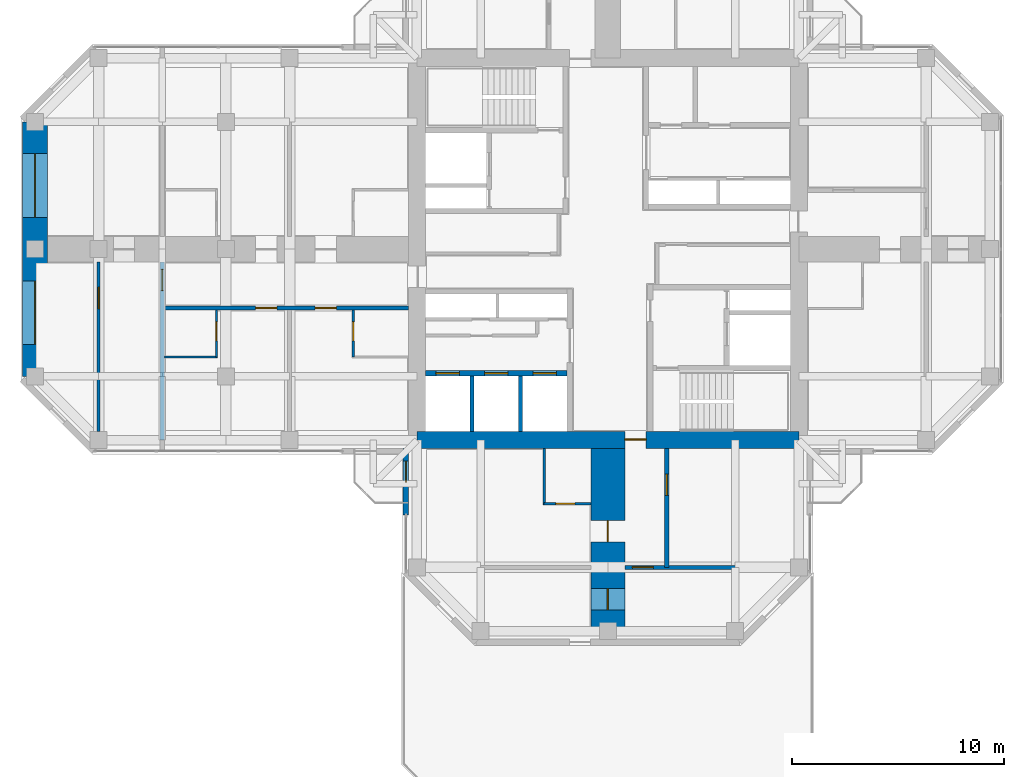
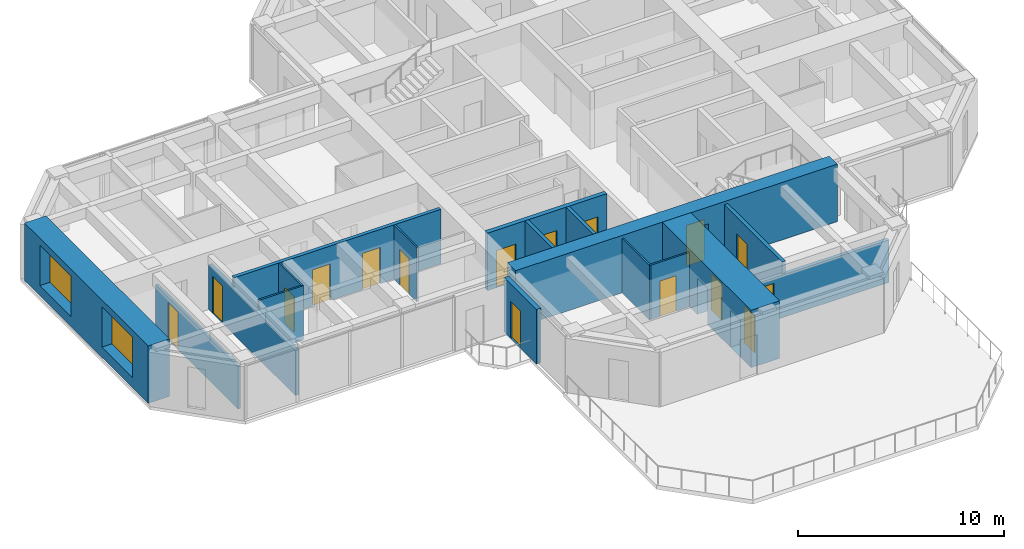
# One storey, part 8 of 14: 17 walls, 16 doors, 2 windows, 18 openings.
"""IFC4 building model written with IfcOpenShell, lengths in metres."""

from ifc_helpers import new_model, si_unit, direction, frame, frame_2d, origin, place, context, subcontext, project, spatial, rectangle, hollow_rectangle, extrude, material, layer, layer_set, constituent, constituent_set, type_object, element, fill, save


model = new_model("IFC4")

# Units and contexts
model_context = context("Model", 3, precision=1e-05, world=origin(), true_north=direction((0.0, 1.0)))
body_context = subcontext(model_context, "Body", "Model", "MODEL_VIEW")
ifc_project = project(units=[si_unit("LENGTHUNIT", "METRE"), si_unit("AREAUNIT", "SQUARE_METRE"), si_unit("VOLUMEUNIT", "CUBIC_METRE"), si_unit("PLANEANGLEUNIT", "RADIAN"), si_unit("MASSUNIT", "GRAM", prefix="KILO")], contexts=[model_context])

# Site, building, storey
site_placement = place(None, origin())
site = spatial("IfcSite", under=ifc_project, at=site_placement, CompositionType="ELEMENT")
building_placement = place(site_placement, origin())
building = spatial("IfcBuilding", under=site, at=building_placement, Name="Torre Cruceta", CompositionType="ELEMENT")
storey_placement = place(building_placement, frame((0.0, 0.0, 222.10009765625)))
storey = spatial("IfcBuildingStorey", under=building, at=storey_placement, Name="L56", CompositionType="ELEMENT", Elevation=222.10009765625)

# Wall
ifc_material_1 = material(Name="Water-resistant plasterboard on steel studs", Category="steel")
ifc_layer_1 = layer(ifc_material_1, 0.10009765625)
ifc_layer_set_1 = layer_set([ifc_layer_1], Name="Water-resistant plasterboard on steel studs")
wall_type_1 = type_object("IfcWallType", Name="BATHROOM WALL 100", PredefinedType="PARTITIONING", material=ifc_layer_set_1)
wall_1_placement = place(storey_placement, frame((-3.0, -9.39990234375, 0.0), z_axis=(0.0, 0.0, 1.0), x_axis=(0.0, -1.0, 0.0)))
element("IfcWall", 1, at=wall_1_placement, inside=storey, type_object=wall_type_1, Name="PT4 L56-S-U1RBB", PredefinedType="PARTITIONING", context=body_context, shape_type="SweptSolid", body=[
    extrude(rectangle(XDim=2.650146484375, YDim=0.10009765625, at=frame_2d((1.3251953125, 0.0))), origin(), (0.0, 0.0, 1.0), 3.219970703125),
])

# Wall, opening, door
wall_2_placement = place(storey_placement, frame((-3.0, -12.0, 0.0), z_axis=(0.0, 0.0, 1.0), x_axis=(1.0, 0.0, 0.0)))
wall_2 = element("IfcWall", 2, at=wall_2_placement, inside=storey, type_object=wall_type_1, Name="PT4 L56-S-U1RBS", PredefinedType="PARTITIONING", context=body_context, shape_type="SweptSolid", body=[
    extrude(rectangle(XDim=2.199951171875, YDim=0.10009765625, at=frame_2d((1.10009765625, 0.0))), origin(), (0.0, 0.0, 1.0), 3.219970703125),
])
opening_1_placement = place(wall_2_placement, frame((0.550048828125, 0.0, 0.0)))
opening_1 = element("IfcOpeningElement", 3, at=opening_1_placement, cuts=wall_2, Name="Opening D7", PredefinedType="OPENING", context=body_context, shape_type="SweptSolid", body=[
    extrude(rectangle(XDim=0.89990234375, YDim=2.10009765625, at=frame_2d((0.449951171875, 1.050048828125))), frame((0.0, 0.06005859375, 0.0), z_axis=(0.0, -1.0, 0.0), x_axis=(1.0, 0.0, 0.0)), (0.0, 0.0, 1.0), 0.1201171875),
])
ifc_material_2 = material(Name="Timber door", Category="wood")
door_type_1 = type_object("IfcDoorType", Name="BATHROOM DOOR 900X2100", OperationType="SINGLE_SWING_LEFT", PredefinedType="DOOR", material=ifc_material_2)
door_1_placement = place(opening_1_placement, origin())
door_1 = element("IfcDoor", 4, at=door_1_placement, inside=storey, type_object=door_type_1, Name="D7 L56-S-U1RBS-D1", OperationType="SINGLE_SWING_LEFT", OverallHeight=2.10009765625, OverallWidth=0.89990234375, PredefinedType="DOOR", context=body_context, shape_type="SweptSolid", body=[
    extrude(rectangle(XDim=0.89990234375, YDim=2.10009765625, at=frame_2d((0.449951171875, 1.050048828125))), frame((0.0, 0.02490234375, 0.0), z_axis=(0.0, -1.0, 0.0), x_axis=(1.0, 0.0, 0.0)), (0.0, 0.0, 1.0), 0.050048828125),
])
fill(opening_1, door_1)

wall_3_placement = place(storey_placement, frame((-12.0, -2.875, 0.0), z_axis=(0.0, 0.0, 1.0), x_axis=(0.0, -1.0, 0.0)))
wall_3 = element("IfcWall", 5, at=wall_3_placement, inside=storey, type_object=wall_type_1, Name="PT4 L56-W-U1LBS", PredefinedType="PARTITIONING", context=body_context, shape_type="SweptSolid", body=[
    extrude(rectangle(XDim=2.199951171875, YDim=0.10009765625, at=frame_2d((1.10009765625, 0.0))), origin(), (0.0, 0.0, 1.0), 3.219970703125),
])
opening_2_placement = place(wall_3_placement, frame((0.550048828125, 0.0, 0.0)))
opening_2 = element("IfcOpeningElement", 6, at=opening_2_placement, cuts=wall_3, Name="Opening D7", PredefinedType="OPENING", context=body_context, shape_type="SweptSolid", body=[
    extrude(rectangle(XDim=0.89990234375, YDim=2.10009765625, at=frame_2d((0.449951171875, 1.050048828125))), frame((0.0, 0.06005859375, 0.0), z_axis=(0.0, -1.0, 0.0), x_axis=(1.0, 0.0, 0.0)), (0.0, 0.0, 1.0), 0.1201171875),
])
door_2_placement = place(opening_2_placement, origin())
door_2 = element("IfcDoor", 7, at=door_2_placement, inside=storey, type_object=door_type_1, Name="D7 L56-W-U1LBS-D1", OperationType="SINGLE_SWING_LEFT", OverallHeight=2.10009765625, OverallWidth=0.89990234375, PredefinedType="DOOR", context=body_context, shape_type="SweptSolid", body=[
    extrude(rectangle(XDim=0.89990234375, YDim=2.10009765625, at=frame_2d((0.449951171875, 1.050048828125))), frame((0.0, 0.02490234375, 0.0), z_axis=(0.0, -1.0, 0.0), x_axis=(1.0, 0.0, 0.0)), (0.0, 0.0, 1.0), 0.050048828125),
])
fill(opening_2, door_2)

# Wall
wall_4_placement = place(storey_placement, frame((-18.39990234375, -5.074951171875, 0.0), z_axis=(0.0, 0.0, 1.0), x_axis=(-1.0, 0.0, 0.0)))
element("IfcWall", 8, at=wall_4_placement, inside=storey, type_object=wall_type_1, Name="PT4 L56-W-U2LBB", PredefinedType="PARTITIONING", context=body_context, shape_type="SweptSolid", body=[
    extrude(rectangle(XDim=2.5, YDim=0.10009765625, at=frame_2d((1.25, 0.0))), origin(), (0.0, 0.0, 1.0), 3.219970703125),
])

# Wall, opening, door
wall_5_placement = place(storey_placement, frame((-18.449951171875, -2.875, 0.0), z_axis=(0.0, 0.0, 1.0), x_axis=(0.0, -1.0, 0.0)))
wall_5 = element("IfcWall", 9, at=wall_5_placement, inside=storey, type_object=wall_type_1, Name="PT4 L56-W-U2LBS", PredefinedType="PARTITIONING", context=body_context, shape_type="SweptSolid", body=[
    extrude(rectangle(XDim=2.199951171875, YDim=0.10009765625, at=frame_2d((1.10009765625, 0.0))), origin(), (0.0, 0.0, 1.0), 3.219970703125),
])
opening_3_placement = place(wall_5_placement, frame((0.550048828125, 0.0, 0.0)))
opening_3 = element("IfcOpeningElement", 10, at=opening_3_placement, cuts=wall_5, Name="Opening D7", PredefinedType="OPENING", context=body_context, shape_type="SweptSolid", body=[
    extrude(rectangle(XDim=0.89990234375, YDim=2.10009765625, at=frame_2d((0.449951171875, 1.050048828125))), frame((0.0, 0.06005859375, 0.0), z_axis=(0.0, -1.0, 0.0), x_axis=(1.0, 0.0, 0.0)), (0.0, 0.0, 1.0), 0.1201171875),
])
door_3_placement = place(opening_3_placement, frame((0.89990234375, 0.0, 0.0), z_axis=(0.0, 0.0, 1.0), x_axis=(-1.0, 0.0, 0.0)))
door_3 = element("IfcDoor", 11, at=door_3_placement, inside=storey, type_object=door_type_1, Name="D7 L56-W-U2LBS-D1", OperationType="SINGLE_SWING_RIGHT", OverallHeight=2.10009765625, OverallWidth=0.89990234375, PredefinedType="DOOR", context=body_context, shape_type="SweptSolid", body=[
    extrude(rectangle(XDim=0.89990234375, YDim=2.10009765625, at=frame_2d((0.449951171875, 1.050048828125))), frame((0.0, 0.025146484375, 0.0), z_axis=(0.0, -1.0, 0.0), x_axis=(1.0, 0.0, 0.0)), (0.0, 0.0, 1.0), 0.050048828125),
])
fill(opening_3, door_3)

# Wall, openings, doors
ifc_material_3 = material(Name="Concrete G60 (fck 60 MPa)", Category="concrete")
ifc_layer_2 = layer(ifc_material_3, 0.25)
ifc_layer_set_2 = layer_set([ifc_layer_2], Name="Concrete G60 (fck 60 MPa)")
wall_type_2 = type_object("IfcWallType", Name="CORE INNER WALL 250 G60", PredefinedType="SHEAR", material=ifc_layer_set_2)
wall_6_placement = place(storey_placement, frame((-1.925048828125, -5.85009765625, 0.0), z_axis=(0.0, 0.0, 1.0), x_axis=(-1.0, 0.0, 0.0)))
wall_6 = element("IfcWall", 12, at=wall_6_placement, inside=storey, type_object=wall_type_2, Name="CW4 L56 SW-LV", PredefinedType="SHEAR", context=body_context, shape_type="SweptSolid", body=[
    extrude(rectangle(XDim=6.675048828125, YDim=0.25, at=frame_2d((3.33740234375, 0.0))), origin(), (0.0, 0.0, 1.0), 3.39990234375),
])
opening_4_placement = place(wall_6_placement, frame((0.495849609375, 0.0, 0.0)))
opening_4 = element("IfcOpeningElement", 13, at=opening_4_placement, cuts=wall_6, Name="Opening LD1", PredefinedType="OPENING", context=body_context, shape_type="SweptSolid", body=[
    extrude(rectangle(XDim=1.10009765625, YDim=2.199951171875, at=frame_2d((0.550048828125, 1.10009765625))), frame((0.0, 0.135009765625, 0.0), z_axis=(0.0, -1.0, 0.0), x_axis=(1.0, 0.0, 0.0)), (0.0, 0.0, 1.0), 0.27001953125),
])
opening_5_placement = place(wall_6_placement, frame((2.78759765625, 0.0, 0.0)))
opening_5 = element("IfcOpeningElement", 14, at=opening_5_placement, cuts=wall_6, Name="Opening LD1", PredefinedType="OPENING", context=body_context, shape_type="SweptSolid", body=[
    extrude(rectangle(XDim=1.10009765625, YDim=2.199951171875, at=frame_2d((0.550048828125, 1.10009765625))), frame((0.0, 0.135009765625, 0.0), z_axis=(0.0, -1.0, 0.0), x_axis=(1.0, 0.0, 0.0)), (0.0, 0.0, 1.0), 0.27001953125),
])
opening_6_placement = place(wall_6_placement, frame((5.0791015625, 0.0, 0.0)))
opening_6 = element("IfcOpeningElement", 15, at=opening_6_placement, cuts=wall_6, Name="Opening LD1", PredefinedType="OPENING", context=body_context, shape_type="SweptSolid", body=[
    extrude(rectangle(XDim=1.10009765625, YDim=2.199951171875, at=frame_2d((0.550048828125, 1.10009765625))), frame((0.0, 0.135009765625, 0.0), z_axis=(0.0, -1.0, 0.0), x_axis=(1.0, 0.0, 0.0)), (0.0, 0.0, 1.0), 0.27001953125),
])
ifc_material_4 = material(Name="Stainless steel 1.4401", Category="steel")
door_type_2 = type_object("IfcDoorType", Name="LIFT LANDING DOOR 1100X2200", OperationType="DOUBLE_DOOR_SLIDING", PredefinedType="DOOR", material=ifc_material_4)
door_4_placement = place(opening_4_placement, origin())
door_4 = element("IfcDoor", 16, at=door_4_placement, inside=storey, type_object=door_type_2, Name="Lift landing door R1", OperationType="DOUBLE_DOOR_SLIDING", OverallHeight=2.199951171875, OverallWidth=1.10009765625, PredefinedType="DOOR", context=body_context, shape_type="SweptSolid", body=[
    extrude(rectangle(XDim=1.10009765625, YDim=2.199951171875, at=frame_2d((0.550048828125, 1.10009765625))), frame((0.0, 0.02490234375, 0.0), z_axis=(0.0, -1.0, 0.0), x_axis=(1.0, 0.0, 0.0)), (0.0, 0.0, 1.0), 0.050048828125),
])
fill(opening_4, door_4)
door_5_placement = place(opening_5_placement, origin())
door_5 = element("IfcDoor", 17, at=door_5_placement, inside=storey, type_object=door_type_2, Name="Lift landing door R2", OperationType="DOUBLE_DOOR_SLIDING", OverallHeight=2.199951171875, OverallWidth=1.10009765625, PredefinedType="DOOR", context=body_context, shape_type="SweptSolid", body=[
    extrude(rectangle(XDim=1.10009765625, YDim=2.199951171875, at=frame_2d((0.550048828125, 1.10009765625))), frame((0.0, 0.02490234375, 0.0), z_axis=(0.0, -1.0, 0.0), x_axis=(1.0, 0.0, 0.0)), (0.0, 0.0, 1.0), 0.050048828125),
])
fill(opening_5, door_5)
door_6_placement = place(opening_6_placement, origin())
door_6 = element("IfcDoor", 18, at=door_6_placement, inside=storey, type_object=door_type_2, Name="Lift landing door R3", OperationType="DOUBLE_DOOR_SLIDING", OverallHeight=2.199951171875, OverallWidth=1.10009765625, PredefinedType="DOOR", context=body_context, shape_type="SweptSolid", body=[
    extrude(rectangle(XDim=1.10009765625, YDim=2.199951171875, at=frame_2d((0.550048828125, 1.10009765625))), frame((0.0, 0.02490234375, 0.0), z_axis=(0.0, -1.0, 0.0), x_axis=(1.0, 0.0, 0.0)), (0.0, 0.0, 1.0), 0.050048828125),
])
fill(opening_6, door_6)

# Wall, opening, door
ifc_material_5 = material(Name="Concrete G60 (fck 60 MPa)", Category="concrete")
ifc_layer_3 = layer(ifc_material_5, 0.800048828125)
ifc_layer_set_3 = layer_set([ifc_layer_3], Name="Concrete G60 (fck 60 MPa)")
wall_type_3 = type_object("IfcWallType", Name="CORE WALL 800 G60", PredefinedType="SHEAR", material=ifc_layer_set_3)
wall_7_placement = place(storey_placement, frame((-9.0, -9.0, 0.0), z_axis=(0.0, 0.0, 1.0), x_axis=(1.0, 0.0, 0.0)))
wall_7 = element("IfcWall", 19, at=wall_7_placement, inside=storey, type_object=wall_type_3, Name="CW3 L56 CW-S", PredefinedType="SHEAR", context=body_context, shape_type="SweptSolid", body=[
    extrude(rectangle(XDim=18.0, YDim=0.800048828125, at=frame_2d((9.0, 0.0))), origin(), (0.0, 0.0, 1.0), 3.39990234375),
])
opening_7_placement = place(wall_7_placement, frame((9.800048828125, 0.0, 0.0)))
opening_7 = element("IfcOpeningElement", 20, at=opening_7_placement, cuts=wall_7, Name="Opening D4", PredefinedType="OPENING", context=body_context, shape_type="SweptSolid", body=[
    extrude(rectangle(XDim=1.0, YDim=2.39990234375, at=frame_2d((0.5, 1.199951171875))), frame((0.0, 0.409912109375, 0.0), z_axis=(0.0, -1.0, 0.0), x_axis=(1.0, 0.0, 0.0)), (0.0, 0.0, 1.0), 0.820068359375),
])
ifc_material_6 = material(Name="Steel DX51D", Category="steel")
ifc_constituent_1 = constituent(ifc_material_6, Name="Leaf and frame")
ifc_material_7 = material(Name="Polyester powder coating", Category="paint")
ifc_constituent_2 = constituent(ifc_material_7, Name="Finish")
ifc_constituent_set_1 = constituent_set(constituents=[ifc_constituent_1, ifc_constituent_2], Name="Steel fire door")
door_type_3 = type_object("IfcDoorType", Name="CORE ARM DOOR 1000X2400", OperationType="SINGLE_SWING_RIGHT", PredefinedType="DOOR", material=ifc_constituent_set_1)
door_7_placement = place(opening_7_placement, origin())
door_7 = element("IfcDoor", 21, at=door_7_placement, inside=storey, type_object=door_type_3, Name="D4 L56 CW-S", OperationType="SINGLE_SWING_RIGHT", OverallHeight=2.39990234375, OverallWidth=1.0, PredefinedType="DOOR", context=body_context, shape_type="SweptSolid", body=[
    extrude(rectangle(XDim=1.0, YDim=2.39990234375, at=frame_2d((0.5, 1.199951171875))), frame((0.0, 0.05517578125, 0.0), z_axis=(0.0, -1.0, 0.0), x_axis=(1.0, 0.0, 0.0)), (0.0, 0.0, 1.0), 0.050048828125),
])
fill(opening_7, door_7)

ifc_material_8 = material(Name="Concrete G25 (fck 25 MPa)", Category="concrete")
ifc_layer_4 = layer(ifc_material_8, 0.199951171875)
ifc_layer_set_4 = layer_set([ifc_layer_4], Name="Concrete G25 (fck 25 MPa)")
wall_type_4 = type_object("IfcWallType", Name="CORRIDOR WALL 200", PredefinedType="SOLIDWALL", material=ifc_layer_set_4)
wall_8_placement = place(storey_placement, frame((2.77490234375, -9.39990234375, 0.0), z_axis=(0.0, 0.0, 1.0), x_axis=(0.0, -1.0, 0.0)))
wall_8 = element("IfcWall", 22, at=wall_8_placement, inside=storey, type_object=wall_type_4, Name="PT3 L56-S-CL", PredefinedType="SOLIDWALL", context=body_context, shape_type="SweptSolid", body=[
    extrude(rectangle(XDim=5.60009765625, YDim=0.199951171875, at=frame_2d((2.800048828125, 0.0))), origin(), (0.0, 0.0, 1.0), 3.219970703125),
])
opening_8_placement = place(wall_8_placement, frame((1.199951171875, 0.0, 0.0)))
opening_8 = element("IfcOpeningElement", 23, at=opening_8_placement, cuts=wall_8, Name="Opening D14", PredefinedType="OPENING", context=body_context, shape_type="SweptSolid", body=[
    extrude(rectangle(XDim=1.0, YDim=2.199951171875, at=frame_2d((0.5, 1.10009765625))), frame((0.0, 0.10986328125, 0.0), z_axis=(0.0, -1.0, 0.0), x_axis=(1.0, 0.0, 0.0)), (0.0, 0.0, 1.0), 0.219970703125),
])
ifc_material_9 = material(Name="Steel DX51D", Category="steel")
ifc_constituent_3 = constituent(ifc_material_9, Name="Leaf and frame")
ifc_material_10 = material(Name="Polyester powder coating", Category="paint")
ifc_constituent_4 = constituent(ifc_material_10, Name="Finish")
ifc_material_11 = material(Name="Fire-resisting glass", Category="glass")
ifc_constituent_5 = constituent(ifc_material_11, Name="Vision panel")
ifc_constituent_set_2 = constituent_set(constituents=[ifc_constituent_3, ifc_constituent_4, ifc_constituent_5], Name="Steel fire door with vision panel")
door_type_4 = type_object("IfcDoorType", Name="FIRE DOOR VISION PANEL 1000X2200", OperationType="SINGLE_SWING_RIGHT", PredefinedType="DOOR", material=ifc_constituent_set_2)
door_8_placement = place(opening_8_placement, origin())
door_8 = element("IfcDoor", 24, at=door_8_placement, inside=storey, type_object=door_type_4, Name="D14 L56-S-CL-D1", OperationType="SINGLE_SWING_LEFT", OverallHeight=2.199951171875, OverallWidth=1.0, PredefinedType="DOOR", context=body_context, shape_type="SweptSolid", body=[
    extrude(rectangle(XDim=1.0, YDim=2.199951171875, at=frame_2d((0.5, 1.10009765625))), frame((0.0, 0.02490234375, 0.0), z_axis=(0.0, -1.0, 0.0), x_axis=(1.0, 0.0, 0.0)), (0.0, 0.0, 1.0), 0.050048828125),
])
fill(opening_8, door_8)

# Wall, openings, doors
wall_9_placement = place(storey_placement, frame((-9.39990234375, -2.77490234375, 0.0), z_axis=(0.0, 0.0, 1.0), x_axis=(-1.0, 0.0, 0.0)))
wall_9 = element("IfcWall", 25, at=wall_9_placement, inside=storey, type_object=wall_type_4, Name="PT3 L56-W-CL", PredefinedType="SOLIDWALL", context=body_context, shape_type="SweptSolid", body=[
    extrude(rectangle(XDim=11.60009765625, YDim=0.199951171875, at=frame_2d((5.800048828125, 0.0))), origin(), (0.0, 0.0, 1.0), 3.219970703125),
])
opening_9_placement = place(wall_9_placement, frame((3.39990234375, 0.0, 0.0)))
opening_9 = element("IfcOpeningElement", 26, at=opening_9_placement, cuts=wall_9, Name="Opening D6", PredefinedType="OPENING", context=body_context, shape_type="SweptSolid", body=[
    extrude(rectangle(XDim=1.0, YDim=2.14990234375, at=frame_2d((0.5, 1.074951171875))), frame((0.0, 0.10986328125, 0.0), z_axis=(0.0, -1.0, 0.0), x_axis=(1.0, 0.0, 0.0)), (0.0, 0.0, 1.0), 0.219970703125),
])
opening_10_placement = place(wall_9_placement, frame((6.199951171875, 0.0, 0.0)))
opening_10 = element("IfcOpeningElement", 27, at=opening_10_placement, cuts=wall_9, Name="Opening D6", PredefinedType="OPENING", context=body_context, shape_type="SweptSolid", body=[
    extrude(rectangle(XDim=1.0, YDim=2.14990234375, at=frame_2d((0.5, 1.074951171875))), frame((0.0, 0.10986328125, 0.0), z_axis=(0.0, -1.0, 0.0), x_axis=(1.0, 0.0, 0.0)), (0.0, 0.0, 1.0), 0.219970703125),
])
ifc_material_12 = material(Name="Timber fire door", Category="wood")
door_type_5 = type_object("IfcDoorType", Name="UNIT ENTRANCE DOOR 1000X2150", OperationType="SINGLE_SWING_LEFT", PredefinedType="DOOR", material=ifc_material_12)
door_9_placement = place(opening_9_placement, origin())
door_9 = element("IfcDoor", 28, at=door_9_placement, inside=storey, type_object=door_type_5, Name="D6 L56-W-CL-D1", OperationType="SINGLE_SWING_LEFT", OverallHeight=2.14990234375, OverallWidth=1.0, PredefinedType="DOOR", context=body_context, shape_type="SweptSolid", body=[
    extrude(rectangle(XDim=1.0, YDim=2.14990234375, at=frame_2d((0.5, 1.074951171875))), frame((0.0, 0.02490234375, 0.0), z_axis=(0.0, -1.0, 0.0), x_axis=(1.0, 0.0, 0.0)), (0.0, 0.0, 1.0), 0.050048828125),
])
fill(opening_9, door_9)
door_10_placement = place(opening_10_placement, origin())
door_10 = element("IfcDoor", 29, at=door_10_placement, inside=storey, type_object=door_type_5, Name="D6 L56-W-CL-D2", OperationType="SINGLE_SWING_LEFT", OverallHeight=2.14990234375, OverallWidth=1.0, PredefinedType="DOOR", context=body_context, shape_type="SweptSolid", body=[
    extrude(rectangle(XDim=1.0, YDim=2.14990234375, at=frame_2d((0.5, 1.074951171875))), frame((0.0, 0.02490234375, 0.0), z_axis=(0.0, -1.0, 0.0), x_axis=(1.0, 0.0, 0.0)), (0.0, 0.0, 1.0), 0.050048828125),
])
fill(opening_10, door_10)

# Walls
ifc_material_13 = material(Name="Concrete G35 (fck 35 MPa)", Category="concrete")
ifc_layer_5 = layer(ifc_material_13, 0.199951171875)
ifc_layer_set_5 = layer_set([ifc_layer_5], Name="Concrete G35 (fck 35 MPa)")
wall_type_5 = type_object("IfcWallType", Name="LIFT SHAFT WALL 200", PredefinedType="PARTITIONING", material=ifc_layer_set_5)
for number, where, z_axis, x_axis, name in (
    (30, (-4.11669921875, -5.97509765625, 0.0), (0.0, 0.0, 1.0), (0.0, -1.0, 0.0), "SW1 L56 SW-LS1"),
    (31, (-6.408447265625, -5.97509765625, 0.0), (0.0, 0.0, 1.0), (0.0, -1.0, 0.0), "SW1 L56 SW-LS2"),
):
    element("IfcWall", number, at=place(storey_placement, frame(where, z_axis=z_axis, x_axis=x_axis)), inside=storey, type_object=wall_type_5, Name=name, PredefinedType="PARTITIONING", context=body_context, shape_type="SweptSolid", body=[
        extrude(rectangle(XDim=2.625, YDim=0.199951171875, at=frame_2d((1.3125, 0.0))), origin(), (0.0, 0.0, 1.0), 3.39990234375),
    ])

# Wall, openings, windows
ifc_material_14 = material(Name="Concrete G60 (fck 60 MPa)", Category="concrete")
ifc_layer_6 = layer(ifc_material_14, 1.199951171875)
ifc_layer_set_6 = layer_set([ifc_layer_6], Name="Concrete G60 (fck 60 MPa)")
wall_type_6 = type_object("IfcWallType", Name="NOSE WALL 1200 G60", PredefinedType="SHEAR", material=ifc_layer_set_6)
wall_10_placement = place(storey_placement, frame((-27.0, 6.0, 0.0), z_axis=(0.0, 0.0, 1.0), x_axis=(0.0, -1.0, 0.0)))
wall_10 = element("IfcWall", 32, at=wall_10_placement, inside=storey, type_object=wall_type_6, Name="NW1 nose wall L56 W", PredefinedType="SHEAR", context=body_context, shape_type="SweptSolid", body=[
    extrude(rectangle(XDim=12.0, YDim=1.199951171875, at=frame_2d((6.0, 0.0))), origin(), (0.0, 0.0, 1.0), 3.39990234375),
])
opening_11_placement = place(wall_10_placement, frame((1.5, 0.0, 0.60009765625)))
opening_11 = element("IfcOpeningElement", 33, at=opening_11_placement, cuts=wall_10, Name="Opening WN6", PredefinedType="OPENING", context=body_context, shape_type="SweptSolid", body=[
    extrude(rectangle(XDim=3.0, YDim=2.39990234375, at=frame_2d((1.5, 1.199951171875))), frame((0.0, 0.60986328125, 0.0), z_axis=(0.0, -1.0, 0.0), x_axis=(1.0, 0.0, 0.0)), (0.0, 0.0, 1.0), 1.219970703125),
])
opening_12_placement = place(wall_10_placement, frame((7.5, 0.0, 0.60009765625)))
opening_12 = element("IfcOpeningElement", 34, at=opening_12_placement, cuts=wall_10, Name="Opening WN6", PredefinedType="OPENING", context=body_context, shape_type="SweptSolid", body=[
    extrude(rectangle(XDim=3.0, YDim=2.39990234375, at=frame_2d((1.5, 1.199951171875))), frame((0.0, 0.60986328125, 0.0), z_axis=(0.0, -1.0, 0.0), x_axis=(1.0, 0.0, 0.0)), (0.0, 0.0, 1.0), 1.219970703125),
])
ifc_material_15 = material(Name="Aluminium window frame", Category="aluminium")
ifc_constituent_6 = constituent(ifc_material_15, Name="Frame")
ifc_material_16 = material(Name="Laminated insulating glass unit, low-iron clear", Category="glass")
ifc_constituent_7 = constituent(ifc_material_16, Name="Glazing")
ifc_constituent_set_3 = constituent_set(constituents=[ifc_constituent_6, ifc_constituent_7], Name="Aluminium window")
window_type = type_object("IfcWindowType", Name="NOSE WALL WINDOW 3000X2400", PartitioningType="SINGLE_PANEL", PredefinedType="WINDOW", material=ifc_constituent_set_3)
window_1_placement = place(opening_11_placement, origin())
window_1 = element("IfcWindow", 35, at=window_1_placement, inside=storey, type_object=window_type, Name="WN6 L56 W 1", OverallHeight=2.39990234375, OverallWidth=3.0, PartitioningType="SINGLE_PANEL", PredefinedType="WINDOW", context=body_context, shape_type="SweptSolid", body=[
    extrude(hollow_rectangle(XDim=3.0, YDim=2.39990234375, WallThickness=0.06005859375, at=frame_2d((1.5, 1.199951171875))), frame((0.0, 0.030029296875, 0.0), z_axis=(0.0, -1.0, 0.0), x_axis=(1.0, 0.0, 0.0)), (0.0, 0.0, 1.0), 0.06005859375),
    extrude(rectangle(XDim=2.87890625, YDim=2.27880859375, at=frame_2d((1.5, 1.199951171875))), frame((0.0, 0.030029296875, 0.0), z_axis=(0.0, -1.0, 0.0), x_axis=(1.0, 0.0, 0.0)), (0.0, 0.0, 1.0), 0.06005859375),
])
fill(opening_11, window_1)
window_2_placement = place(opening_12_placement, origin())
window_2 = element("IfcWindow", 36, at=window_2_placement, inside=storey, type_object=window_type, Name="WN6 L56 W 2", OverallHeight=2.39990234375, OverallWidth=3.0, PartitioningType="SINGLE_PANEL", PredefinedType="WINDOW", context=body_context, shape_type="SweptSolid", body=[
    extrude(hollow_rectangle(XDim=3.0, YDim=2.39990234375, WallThickness=0.06005859375, at=frame_2d((1.5, 1.199951171875))), frame((0.0, 0.030029296875, 0.0), z_axis=(0.0, -1.0, 0.0), x_axis=(1.0, 0.0, 0.0)), (0.0, 0.0, 1.0), 0.06005859375),
    extrude(rectangle(XDim=2.87890625, YDim=2.27880859375, at=frame_2d((1.5, 1.199951171875))), frame((0.0, 0.030029296875, 0.0), z_axis=(0.0, -1.0, 0.0), x_axis=(1.0, 0.0, 0.0)), (0.0, 0.0, 1.0), 0.06005859375),
])
fill(opening_12, window_2)

# Wall, opening, door
ifc_material_17 = material(Name="Plasterboard on steel studs", Category="steel")
ifc_layer_7 = layer(ifc_material_17, 0.14990234375)
ifc_layer_set_7 = layer_set([ifc_layer_7], Name="Plasterboard on steel studs")
wall_type_7 = type_object("IfcWallType", Name="PARTITION 150", PredefinedType="PARTITIONING", material=ifc_layer_set_7)
wall_11_placement = place(storey_placement, frame((-24.0, -0.60009765625, 0.0), z_axis=(0.0, 0.0, 1.0), x_axis=(0.0, -1.0, 0.0)))
wall_11 = element("IfcWall", 37, at=wall_11_placement, inside=storey, type_object=wall_type_7, Name="PT1 L56-W-ENDX", PredefinedType="PARTITIONING", context=body_context, shape_type="SweptSolid", body=[
    extrude(rectangle(XDim=8.0, YDim=0.14990234375, at=frame_2d((4.0, 0.0))), origin(), (0.0, 0.0, 1.0), 2.52001953125),
])
opening_13_placement = place(wall_11_placement, frame((1.199951171875, 0.0, 0.0)))
opening_13 = element("IfcOpeningElement", 38, at=opening_13_placement, cuts=wall_11, Name="Opening D14", PredefinedType="OPENING", context=body_context, shape_type="SweptSolid", body=[
    extrude(rectangle(XDim=1.0, YDim=2.199951171875, at=frame_2d((0.5, 1.10009765625))), frame((0.0, 0.0849609375, 0.0), z_axis=(0.0, -1.0, 0.0), x_axis=(1.0, 0.0, 0.0)), (0.0, 0.0, 1.0), 0.169921875),
])
door_11_placement = place(opening_13_placement, frame((1.0, 0.0, 0.0), z_axis=(0.0, 0.0, 1.0), x_axis=(-1.0, 0.0, 0.0)))
door_11 = element("IfcDoor", 39, at=door_11_placement, inside=storey, type_object=door_type_4, Name="D14 L56-W-ENDX-D1", OperationType="SINGLE_SWING_RIGHT", OverallHeight=2.199951171875, OverallWidth=1.0, PredefinedType="DOOR", context=body_context, shape_type="SweptSolid", body=[
    extrude(rectangle(XDim=1.0, YDim=2.199951171875, at=frame_2d((0.5, 1.10009765625))), frame((0.0, 0.025146484375, 0.0), z_axis=(0.0, -1.0, 0.0), x_axis=(1.0, 0.0, 0.0)), (0.0, 0.0, 1.0), 0.050048828125),
])
fill(opening_13, door_11)

# Wall, openings, doors
ifc_material_18 = material(Name="Concrete G60 (fck 60 MPa)", Category="concrete")
ifc_layer_8 = layer(ifc_material_18, 1.60009765625)
ifc_layer_set_8 = layer_set([ifc_layer_8], Name="Concrete G60 (fck 60 MPa)")
wall_type_8 = type_object("IfcWallType", Name="SPINE WALL 1600 G60", PredefinedType="SHEAR", material=ifc_layer_set_8)
wall_12_placement = place(storey_placement, frame((0.0, -9.0, 0.0), z_axis=(0.0, 0.0, 1.0), x_axis=(0.0, -1.0, 0.0)))
wall_12 = element("IfcWall", 40, at=wall_12_placement, inside=storey, type_object=wall_type_8, Name="SW2 spine wall L56 S", PredefinedType="SHEAR", context=body_context, shape_type="SweptSolid", body=[
    extrude(rectangle(XDim=9.0, YDim=1.60009765625, at=frame_2d((4.5, 0.0))), origin(), (0.0, 0.0, 1.0), 3.39990234375),
])
opening_14_placement = place(wall_12_placement, frame((3.800048828125, 0.0, 0.0)))
opening_14 = element("IfcOpeningElement", 41, at=opening_14_placement, cuts=wall_12, Name="Opening D6", PredefinedType="OPENING", context=body_context, shape_type="SweptSolid", body=[
    extrude(rectangle(XDim=1.0, YDim=2.14990234375, at=frame_2d((0.5, 1.074951171875))), frame((0.0, 0.81005859375, 0.0), z_axis=(0.0, -1.0, 0.0), x_axis=(1.0, 0.0, 0.0)), (0.0, 0.0, 1.0), 1.6201171875),
])
opening_15_placement = place(wall_12_placement, frame((7.0, 0.0, 0.0)))
opening_15 = element("IfcOpeningElement", 42, at=opening_15_placement, cuts=wall_12, Name="Opening D14", PredefinedType="OPENING", context=body_context, shape_type="SweptSolid", body=[
    extrude(rectangle(XDim=1.0, YDim=2.199951171875, at=frame_2d((0.5, 1.10009765625))), frame((0.0, 0.81005859375, 0.0), z_axis=(0.0, -1.0, 0.0), x_axis=(1.0, 0.0, 0.0)), (0.0, 0.0, 1.0), 1.6201171875),
])
door_12_placement = place(opening_15_placement, origin())
door_12 = element("IfcDoor", 43, at=door_12_placement, inside=storey, type_object=door_type_4, Name="D14 L56-S-SP2", OperationType="SINGLE_SWING_LEFT", OverallHeight=2.199951171875, OverallWidth=1.0, PredefinedType="DOOR", context=body_context, shape_type="SweptSolid", body=[
    extrude(rectangle(XDim=1.0, YDim=2.199951171875, at=frame_2d((0.5, 1.10009765625))), frame((0.0, 0.02490234375, 0.0), z_axis=(0.0, -1.0, 0.0), x_axis=(1.0, 0.0, 0.0)), (0.0, 0.0, 1.0), 0.050048828125),
])
fill(opening_15, door_12)
door_13_placement = place(opening_14_placement, frame((1.0, 0.0, 0.0), z_axis=(0.0, 0.0, 1.0), x_axis=(-1.0, 0.0, 0.0)))
door_13 = element("IfcDoor", 44, at=door_13_placement, inside=storey, type_object=door_type_5, Name="D6 L56-S-SP1", OperationType="SINGLE_SWING_RIGHT", OverallHeight=2.14990234375, OverallWidth=1.0, PredefinedType="DOOR", context=body_context, shape_type="SweptSolid", body=[
    extrude(rectangle(XDim=1.0, YDim=2.14990234375, at=frame_2d((0.5, 1.074951171875))), frame((0.0, 0.025146484375, 0.0), z_axis=(0.0, -1.0, 0.0), x_axis=(1.0, 0.0, 0.0)), (0.0, 0.0, 1.0), 0.050048828125),
])
fill(opening_14, door_13)

# Wall, opening, door
ifc_material_19 = material(Name="Concrete G25 (fck 25 MPa)", Category="concrete")
ifc_layer_9 = layer(ifc_material_19, 0.199951171875)
ifc_layer_set_9 = layer_set([ifc_layer_9], Name="Concrete G25 (fck 25 MPa)")
wall_type_9 = type_object("IfcWallType", Name="UNIT SEPARATING WALL 200", PredefinedType="SOLIDWALL", material=ifc_layer_set_9)
wall_13_placement = place(storey_placement, frame((0.800048828125, -15.0, 0.0), z_axis=(0.0, 0.0, 1.0), x_axis=(1.0, 0.0, 0.0)))
wall_13 = element("IfcWall", 45, at=wall_13_placement, inside=storey, type_object=wall_type_9, Name="PT2 L56-S-ENDb", PredefinedType="SOLIDWALL", context=body_context, shape_type="SweptSolid", body=[
    extrude(rectangle(XDim=7.800048828125, YDim=0.199951171875, at=frame_2d((3.89990234375, 0.0))), origin(), (0.0, 0.0, 1.0), 2.52001953125),
])
opening_16_placement = place(wall_13_placement, frame((0.35009765625, 0.0, 0.0)))
opening_16 = element("IfcOpeningElement", 46, at=opening_16_placement, cuts=wall_13, Name="Opening D14", PredefinedType="OPENING", context=body_context, shape_type="SweptSolid", body=[
    extrude(rectangle(XDim=1.0, YDim=2.199951171875, at=frame_2d((0.5, 1.10009765625))), frame((0.0, 0.10986328125, 0.0), z_axis=(0.0, -1.0, 0.0), x_axis=(1.0, 0.0, 0.0)), (0.0, 0.0, 1.0), 0.219970703125),
])
door_14_placement = place(opening_16_placement, frame((1.0, 0.0, 0.0), z_axis=(0.0, 0.0, 1.0), x_axis=(-1.0, 0.0, 0.0)))
door_14 = element("IfcDoor", 47, at=door_14_placement, inside=storey, type_object=door_type_4, Name="D14 L56-S-ENDb-D1", OperationType="SINGLE_SWING_LEFT", OverallHeight=2.199951171875, OverallWidth=1.0, PredefinedType="DOOR", context=body_context, shape_type="SweptSolid", body=[
    extrude(rectangle(XDim=1.0, YDim=2.199951171875, at=frame_2d((0.5, 1.10009765625))), frame((0.0, 0.025146484375, 0.0), z_axis=(0.0, -1.0, 0.0), x_axis=(1.0, 0.0, 0.0)), (0.0, 0.0, 1.0), 0.050048828125),
])
fill(opening_16, door_14)

wall_14_placement = place(storey_placement, frame((-21.0, -0.60009765625, 0.0), z_axis=(0.0, 0.0, 1.0), x_axis=(0.0, -1.0, 0.0)))
wall_14 = element("IfcWall", 48, at=wall_14_placement, inside=storey, type_object=wall_type_9, Name="PT2 L56-W-ENDb", PredefinedType="SOLIDWALL", context=body_context, shape_type="SweptSolid", body=[
    extrude(rectangle(XDim=8.39990234375, YDim=0.199951171875, at=frame_2d((4.199951171875, 0.0))), origin(), (0.0, 0.0, 1.0), 2.669921875),
])
opening_17_placement = place(wall_14_placement, frame((0.35009765625, 0.0, 0.0)))
opening_17 = element("IfcOpeningElement", 49, at=opening_17_placement, cuts=wall_14, Name="Opening D14", PredefinedType="OPENING", context=body_context, shape_type="SweptSolid", body=[
    extrude(rectangle(XDim=1.0, YDim=2.199951171875, at=frame_2d((0.5, 1.10009765625))), frame((0.0, 0.10986328125, 0.0), z_axis=(0.0, -1.0, 0.0), x_axis=(1.0, 0.0, 0.0)), (0.0, 0.0, 1.0), 0.219970703125),
])
door_15_placement = place(opening_17_placement, frame((1.0, 0.0, 0.0), z_axis=(0.0, 0.0, 1.0), x_axis=(-1.0, 0.0, 0.0)))
door_15 = element("IfcDoor", 50, at=door_15_placement, inside=storey, type_object=door_type_4, Name="D14 L56-W-ENDb-D1", OperationType="SINGLE_SWING_RIGHT", OverallHeight=2.199951171875, OverallWidth=1.0, PredefinedType="DOOR", context=body_context, shape_type="SweptSolid", body=[
    extrude(rectangle(XDim=1.0, YDim=2.199951171875, at=frame_2d((0.5, 1.10009765625))), frame((0.0, 0.025146484375, 0.0), z_axis=(0.0, -1.0, 0.0), x_axis=(1.0, 0.0, 0.0)), (0.0, 0.0, 1.0), 0.050048828125),
])
fill(opening_17, door_15)

ifc_material_20 = material(Name="Concrete G30 (fck 30 MPa)", Category="concrete")
ifc_layer_10 = layer(ifc_material_20, 0.25)
ifc_layer_set_10 = layer_set([ifc_layer_10], Name="Concrete G30 (fck 30 MPa)")
wall_type_10 = type_object("IfcWallType", Name="WINTER GARDEN WALL 250", PredefinedType="SOLIDWALL", material=ifc_layer_set_10)
wall_15_placement = place(storey_placement, frame((-9.52001953125, -9.39501953125, 0.0), z_axis=(0.0, 0.0, 1.0), x_axis=(0.0, -1.0, 0.0)))
wall_15 = element("IfcWall", 51, at=wall_15_placement, inside=storey, type_object=wall_type_10, Name="EW2 winter garden wall L56 15", PredefinedType="SOLIDWALL", context=body_context, shape_type="SweptSolid", body=[
    extrude(rectangle(XDim=3.125, YDim=0.25, at=frame_2d((1.5625, 0.0))), origin(), (0.0, 0.0, 1.0), 3.219970703125),
])
opening_18_placement = place(wall_15_placement, frame((0.60009765625, 0.0, 0.0)))
opening_18 = element("IfcOpeningElement", 52, at=opening_18_placement, cuts=wall_15, Name="Opening D10", PredefinedType="OPENING", context=body_context, shape_type="SweptSolid", body=[
    extrude(rectangle(XDim=1.0, YDim=2.199951171875, at=frame_2d((0.5, 1.10009765625))), frame((0.0, 0.135009765625, 0.0), z_axis=(0.0, -1.0, 0.0), x_axis=(1.0, 0.0, 0.0)), (0.0, 0.0, 1.0), 0.27001953125),
])
ifc_material_21 = material(Name="Aluminium door frame", Category="aluminium")
ifc_constituent_8 = constituent(ifc_material_21, Name="Frame")
ifc_material_22 = material(Name="Laminated safety glass", Category="glass")
ifc_constituent_9 = constituent(ifc_material_22, Name="Glazing")
ifc_constituent_set_4 = constituent_set(constituents=[ifc_constituent_8, ifc_constituent_9], Name="Aluminium glazed door")
door_type_6 = type_object("IfcDoorType", Name="BALCONY DOOR 1000X2200", OperationType="SINGLE_SWING_RIGHT", PredefinedType="DOOR", material=ifc_constituent_set_4)
door_16_placement = place(opening_18_placement, origin())
door_16 = element("IfcDoor", 53, at=door_16_placement, inside=storey, type_object=door_type_6, Name="D10 balcony door L56 15", OperationType="SINGLE_SWING_LEFT", OverallHeight=2.199951171875, OverallWidth=1.0, PredefinedType="DOOR", context=body_context, shape_type="SweptSolid", body=[
    extrude(hollow_rectangle(XDim=1.0, YDim=2.199951171875, WallThickness=0.06005859375, at=frame_2d((0.5, 1.10009765625))), frame((0.0, 0.02490234375, 0.0), z_axis=(0.0, -1.0, 0.0), x_axis=(1.0, 0.0, 0.0)), (0.0, 0.0, 1.0), 0.050048828125),
    extrude(rectangle(XDim=0.87890625, YDim=2.078857421875, at=frame_2d((0.5, 1.10009765625))), frame((0.0, 0.02490234375, 0.0), z_axis=(0.0, -1.0, 0.0), x_axis=(1.0, 0.0, 0.0)), (0.0, 0.0, 1.0), 0.050048828125),
])
fill(opening_18, door_16)

save(model, "model.ifc")
